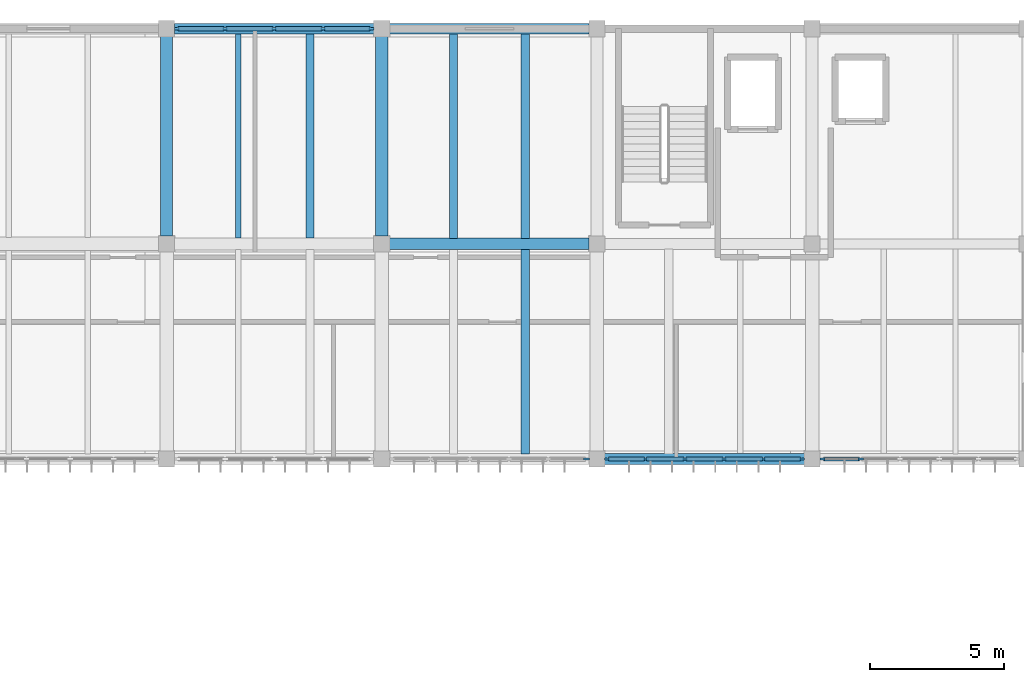
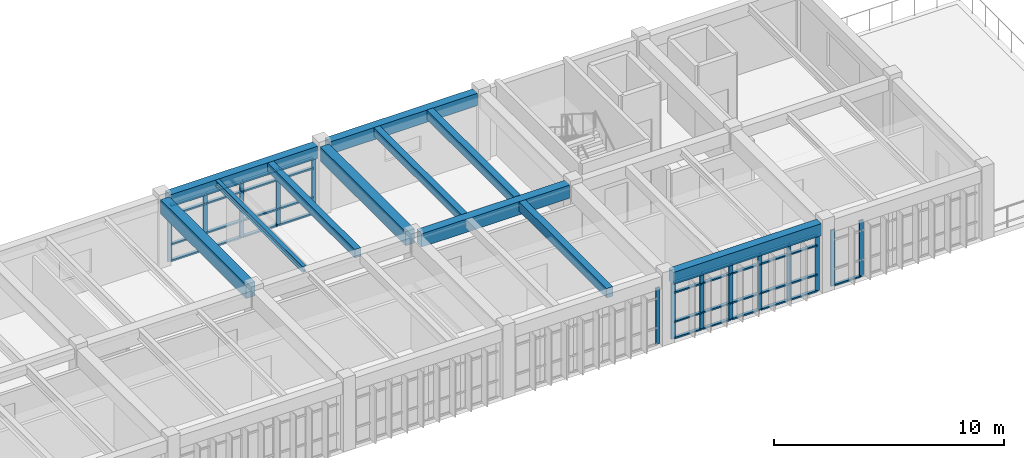
# One storey, part 9 of 22: 51 members, 11 beams, 4 elements without a shape of their own.
"""IFC4 building model written with IfcOpenShell, lengths in metres."""

from ifc_helpers import new_model, si_unit, direction, frame, origin, origin_2d, place, context, subcontext, project, spatial, rectangle, i_section, extrude, material, material_profile, profile_set, type_object, element, aggregate, save


model = new_model("IFC4")

# Units and contexts
model_context = context("Model", 3, precision=1e-05, world=origin(), true_north=direction((0.0, 1.0)))
body_context = subcontext(model_context, "Body", "Model", "MODEL_VIEW")
ifc_project = project(units=[si_unit("LENGTHUNIT", "METRE"), si_unit("AREAUNIT", "SQUARE_METRE"), si_unit("VOLUMEUNIT", "CUBIC_METRE"), si_unit("PLANEANGLEUNIT", "RADIAN"), si_unit("MASSUNIT", "GRAM", prefix="KILO")], contexts=[model_context])

# Site, building, storey
site_placement = place(None, origin())
site = spatial("IfcSite", under=ifc_project, at=site_placement, CompositionType="ELEMENT")
building_placement = place(site_placement, origin())
building = spatial("IfcBuilding", under=site, at=building_placement, Name="Tlaxcora Railside Police Headquarters", CompositionType="ELEMENT")
storey_placement = place(building_placement, frame((0.0, 0.0, 21.89990234375)))
storey = spatial("IfcBuildingStorey", under=building, at=storey_placement, Name="L05", CompositionType="ELEMENT", Elevation=21.89990234375)

# Curtain wall, member
ifc_material_1 = material(Name="Thermally broken low-E insulated glazing", Category="glass")
curtain_wall_type_1 = type_object("IfcCurtainWallType", Name="Unitised Curtain Wall Assembly CW-23", PredefinedType="NOTDEFINED", material=ifc_material_1)
curtain_wall_1_placement = place(storey_placement, origin())
curtain_wall_1 = element("IfcCurtainWall", 1, at=curtain_wall_1_placement, inside=storey, type_object=curtain_wall_type_1, Name="V5 L05 curtain wall 112", PredefinedType="NOTDEFINED")
ifc_material_2 = material(Name="Anodised aluminium framing", Category="aluminium")
ifc_material_profile_1 = material_profile(ifc_material_2, rectangle(XDim=0.080078125, YDim=0.219970703125, at=origin_2d()), Name="AL80X220")
ifc_profile_set_1 = profile_set([ifc_material_profile_1], Name="Anodised aluminium framing")
member_type_1 = type_object("IfcMemberType", Name="Curtain Wall Mullion CW-31", PredefinedType="MULLION", material=ifc_profile_set_1)
member_1_placement = place(storey_placement, frame((69.610107421875, 76.800048828125, 0.0), z_axis=(0.0, 0.0, 1.0), x_axis=(0.0, 1.0, 0.0)))
member_1 = element("IfcMember", 2, at=member_1_placement, type_object=member_type_1, Name="CW mullion 6", PredefinedType="MULLION", context=body_context, shape_type="SweptSolid", body=[
    extrude(rectangle(XDim=0.080078125, YDim=0.219970703125, at=origin_2d()), origin(), (0.0, 0.0, 1.0), 2.97998046875),
])
aggregate(curtain_wall_1, [member_1])

# Curtain wall, members
curtain_wall_type_2 = type_object("IfcCurtainWallType", Name="Unitised Curtain Wall Assembly CW-38", PredefinedType="NOTDEFINED", material=ifc_material_1)
curtain_wall_2_placement = place(storey_placement, origin())
curtain_wall_2 = element("IfcCurtainWall", 3, at=curtain_wall_2_placement, inside=storey, type_object=curtain_wall_type_2, Name="V5 L05 curtain wall 113", PredefinedType="NOTDEFINED")
ifc_material_profile_2 = material_profile(ifc_material_2, rectangle(XDim=0.074951171875, YDim=0.205078125, at=origin_2d()), Name="AL75X205")
ifc_profile_set_2 = profile_set([ifc_material_profile_2], Name="Anodised aluminium framing")
member_type_2 = type_object("IfcMemberType", Name="Curtain Wall Mullion CW-32", PredefinedType="MULLION", material=ifc_profile_set_2)
member_2_placement = place(storey_placement, frame((70.387451171875, 76.800048828125, 0.0), z_axis=(0.0, 0.0, 1.0), x_axis=(0.0, 1.0, 0.0)))
member_2 = element("IfcMember", 4, at=member_2_placement, type_object=member_type_2, Name="CW mullion 1", PredefinedType="MULLION", context=body_context, shape_type="SweptSolid", body=[
    extrude(rectangle(XDim=0.074951171875, YDim=0.205078125, at=origin_2d()), origin(), (0.0, 0.0, 1.0), 2.97998046875),
])
member_3_placement = place(storey_placement, frame((71.81005859375, 76.800048828125, 0.0), z_axis=(0.0, 0.0, 1.0), x_axis=(0.0, 1.0, 0.0)))
member_3 = element("IfcMember", 5, at=member_3_placement, type_object=member_type_2, Name="CW mullion 2", PredefinedType="MULLION", context=body_context, shape_type="SweptSolid", body=[
    extrude(rectangle(XDim=0.074951171875, YDim=0.205078125, at=origin_2d()), origin(), (0.0, 0.0, 1.0), 2.97998046875),
])
member_4_placement = place(storey_placement, frame((73.27001953125, 76.800048828125, 0.0), z_axis=(0.0, 0.0, 1.0), x_axis=(0.0, 1.0, 0.0)))
member_4 = element("IfcMember", 6, at=member_4_placement, type_object=member_type_2, Name="CW mullion 3", PredefinedType="MULLION", context=body_context, shape_type="SweptSolid", body=[
    extrude(rectangle(XDim=0.074951171875, YDim=0.205078125, at=origin_2d()), origin(), (0.0, 0.0, 1.0), 2.97998046875),
])
member_5_placement = place(storey_placement, frame((74.72998046875, 76.800048828125, 0.0), z_axis=(0.0, 0.0, 1.0), x_axis=(0.0, 1.0, 0.0)))
member_5 = element("IfcMember", 7, at=member_5_placement, type_object=member_type_2, Name="CW mullion 4", PredefinedType="MULLION", context=body_context, shape_type="SweptSolid", body=[
    extrude(rectangle(XDim=0.074951171875, YDim=0.205078125, at=origin_2d()), origin(), (0.0, 0.0, 1.0), 2.97998046875),
])
member_6_placement = place(storey_placement, frame((76.18994140625, 76.800048828125, 0.0), z_axis=(0.0, 0.0, 1.0), x_axis=(0.0, 1.0, 0.0)))
member_6 = element("IfcMember", 8, at=member_6_placement, type_object=member_type_2, Name="CW mullion 5", PredefinedType="MULLION", context=body_context, shape_type="SweptSolid", body=[
    extrude(rectangle(XDim=0.074951171875, YDim=0.205078125, at=origin_2d()), origin(), (0.0, 0.0, 1.0), 2.97998046875),
])
member_7_placement = place(storey_placement, frame((77.612548828125, 76.800048828125, 0.0), z_axis=(0.0, 0.0, 1.0), x_axis=(0.0, 1.0, 0.0)))
member_7 = element("IfcMember", 9, at=member_7_placement, type_object=member_type_2, Name="CW mullion 6", PredefinedType="MULLION", context=body_context, shape_type="SweptSolid", body=[
    extrude(rectangle(XDim=0.074951171875, YDim=0.205078125, at=origin_2d()), origin(), (0.0, 0.0, 1.0), 2.97998046875),
])

curtain_wall_type_3 = type_object("IfcCurtainWallType", Name="Unitised Curtain Wall Assembly CW-15", PredefinedType="NOTDEFINED", material=ifc_material_1)
curtain_wall_3_placement = place(storey_placement, origin())
curtain_wall_3 = element("IfcCurtainWall", 10, at=curtain_wall_3_placement, inside=storey, type_object=curtain_wall_type_3, Name="V5 L05 curtain wall 114", PredefinedType="NOTDEFINED")
ifc_material_profile_3 = material_profile(ifc_material_2, rectangle(XDim=0.074951171875, YDim=0.199951171875, at=origin_2d()), Name="AL75X200")
ifc_profile_set_3 = profile_set([ifc_material_profile_3], Name="Anodised aluminium framing")
member_type_3 = type_object("IfcMemberType", Name="Curtain Wall Mullion CW-58", PredefinedType="MULLION", material=ifc_profile_set_3)
member_8_placement = place(storey_placement, frame((78.387451171875, 76.800048828125, 0.0), z_axis=(0.0, 0.0, 1.0), x_axis=(0.0, 1.0, 0.0)))
member_8 = element("IfcMember", 11, at=member_8_placement, type_object=member_type_3, Name="CW mullion 1", PredefinedType="MULLION", context=body_context, shape_type="SweptSolid", body=[
    extrude(rectangle(XDim=0.074951171875, YDim=0.199951171875, at=origin_2d()), origin(), (0.0, 0.0, 1.0), 2.97998046875),
])
member_9_placement = place(storey_placement, frame((79.81005859375, 76.800048828125, 0.0), z_axis=(0.0, 0.0, 1.0), x_axis=(0.0, 1.0, 0.0)))
member_9 = element("IfcMember", 12, at=member_9_placement, type_object=member_type_3, Name="CW mullion 2", PredefinedType="MULLION", context=body_context, shape_type="SweptSolid", body=[
    extrude(rectangle(XDim=0.074951171875, YDim=0.199951171875, at=origin_2d()), origin(), (0.0, 0.0, 1.0), 2.97998046875),
])

curtain_wall_type_4 = type_object("IfcCurtainWallType", Name="Unitised Curtain Wall Assembly CW-83", PredefinedType="NOTDEFINED", material=ifc_material_1)
curtain_wall_4_placement = place(storey_placement, origin())
curtain_wall_4 = element("IfcCurtainWall", 13, at=curtain_wall_4_placement, inside=storey, type_object=curtain_wall_type_4, Name="V5 L05 curtain wall 115", PredefinedType="NOTDEFINED")
ifc_material_profile_4 = material_profile(ifc_material_2, rectangle(XDim=0.080078125, YDim=0.2099609375, at=origin_2d()), Name="AL80X210")
ifc_profile_set_4 = profile_set([ifc_material_profile_4], Name="Anodised aluminium framing")
member_type_4 = type_object("IfcMemberType", Name="Curtain Wall Mullion CW-76", PredefinedType="MULLION", material=ifc_profile_set_4)
member_10_placement = place(storey_placement, frame((61.610107421875, 92.800048828125, 0.0), z_axis=(0.0, 0.0, 1.0), x_axis=(0.0, -1.0, 0.0)))
member_10 = element("IfcMember", 14, at=member_10_placement, type_object=member_type_4, Name="CW mullion 1", PredefinedType="MULLION", context=body_context, shape_type="SweptSolid", body=[
    extrude(rectangle(XDim=0.080078125, YDim=0.2099609375, at=origin_2d()), origin(), (0.0, 0.0, 1.0), 2.97998046875),
])
member_11_placement = place(storey_placement, frame((59.824951171875, 92.800048828125, 0.0), z_axis=(0.0, 0.0, 1.0), x_axis=(0.0, -1.0, 0.0)))
member_11 = element("IfcMember", 15, at=member_11_placement, type_object=member_type_4, Name="CW mullion 2", PredefinedType="MULLION", context=body_context, shape_type="SweptSolid", body=[
    extrude(rectangle(XDim=0.080078125, YDim=0.2099609375, at=origin_2d()), origin(), (0.0, 0.0, 1.0), 2.97998046875),
])
member_12_placement = place(storey_placement, frame((58.0, 92.800048828125, 0.0), z_axis=(0.0, 0.0, 1.0), x_axis=(0.0, -1.0, 0.0)))
member_12 = element("IfcMember", 16, at=member_12_placement, type_object=member_type_4, Name="CW mullion 3", PredefinedType="MULLION", context=body_context, shape_type="SweptSolid", body=[
    extrude(rectangle(XDim=0.080078125, YDim=0.2099609375, at=origin_2d()), origin(), (0.0, 0.0, 1.0), 2.97998046875),
])
member_13_placement = place(storey_placement, frame((56.175048828125, 92.800048828125, 0.0), z_axis=(0.0, 0.0, 1.0), x_axis=(0.0, -1.0, 0.0)))
member_13 = element("IfcMember", 17, at=member_13_placement, type_object=member_type_4, Name="CW mullion 4", PredefinedType="MULLION", context=body_context, shape_type="SweptSolid", body=[
    extrude(rectangle(XDim=0.080078125, YDim=0.2099609375, at=origin_2d()), origin(), (0.0, 0.0, 1.0), 2.97998046875),
])
member_14_placement = place(storey_placement, frame((54.389892578125, 92.800048828125, 0.0), z_axis=(0.0, 0.0, 1.0), x_axis=(0.0, -1.0, 0.0)))
member_14 = element("IfcMember", 18, at=member_14_placement, type_object=member_type_4, Name="CW mullion 5", PredefinedType="MULLION", context=body_context, shape_type="SweptSolid", body=[
    extrude(rectangle(XDim=0.080078125, YDim=0.2099609375, at=origin_2d()), origin(), (0.0, 0.0, 1.0), 2.97998046875),
])

# Member
ifc_material_profile_5 = material_profile(ifc_material_2, rectangle(XDim=0.14990234375, YDim=0.074951171875, at=origin_2d()), Name="AL75X150")
ifc_profile_set_5 = profile_set([ifc_material_profile_5], Name="Anodised aluminium framing")
member_type_5 = type_object("IfcMemberType", Name="Curtain Wall Transom CW-28", PredefinedType="USERDEFINED", material=ifc_profile_set_5)
member_15_placement = place(storey_placement, frame((78.425048828125, 76.800048828125, 0.03759765625), z_axis=(1.0, 0.0, 0.0), x_axis=(0.0, 1.0, 0.0)))
member_15 = element("IfcMember", 19, at=member_15_placement, type_object=member_type_5, Name="CW transom 1.1", ObjectType="TRANSOM", PredefinedType="USERDEFINED", context=body_context, shape_type="SweptSolid", body=[
    extrude(rectangle(XDim=0.14990234375, YDim=0.074951171875, at=origin_2d()), origin(), (0.0, 0.0, 1.0), 1.347412109375),
])

aggregate(curtain_wall_3, [member_8, member_9, member_15])

ifc_material_profile_6 = material_profile(ifc_material_2, rectangle(XDim=0.155029296875, YDim=0.074951171875, at=origin_2d()), Name="AL75X155")
ifc_profile_set_6 = profile_set([ifc_material_profile_6], Name="Anodised aluminium framing")
member_type_6 = type_object("IfcMemberType", Name="Curtain Wall Transom CW-30", PredefinedType="USERDEFINED", material=ifc_profile_set_6)
member_16_placement = place(storey_placement, frame((70.425048828125, 76.800048828125, 0.03759765625), z_axis=(1.0, 0.0, 0.0), x_axis=(0.0, 1.0, 0.0)))
member_16 = element("IfcMember", 20, at=member_16_placement, type_object=member_type_6, Name="CW transom 1.1", ObjectType="TRANSOM", PredefinedType="USERDEFINED", context=body_context, shape_type="SweptSolid", body=[
    extrude(rectangle(XDim=0.155029296875, YDim=0.074951171875, at=origin_2d()), origin(), (0.0, 0.0, 1.0), 1.347412109375),
])

member_17_placement = place(storey_placement, frame((70.425048828125, 76.800048828125, 0.900146484375), z_axis=(1.0, 0.0, 0.0), x_axis=(0.0, 1.0, 0.0)))
member_17 = element("IfcMember", 21, at=member_17_placement, type_object=member_type_6, Name="CW transom 1.2", ObjectType="TRANSOM", PredefinedType="USERDEFINED", context=body_context, shape_type="SweptSolid", body=[
    extrude(rectangle(XDim=0.155029296875, YDim=0.074951171875, at=origin_2d()), origin(), (0.0, 0.0, 1.0), 1.347412109375),
])

member_18_placement = place(storey_placement, frame((70.425048828125, 76.800048828125, 2.4501953125), z_axis=(1.0, 0.0, 0.0), x_axis=(0.0, 1.0, 0.0)))
member_18 = element("IfcMember", 22, at=member_18_placement, type_object=member_type_6, Name="CW transom 1.3", ObjectType="TRANSOM", PredefinedType="USERDEFINED", context=body_context, shape_type="SweptSolid", body=[
    extrude(rectangle(XDim=0.155029296875, YDim=0.074951171875, at=origin_2d()), origin(), (0.0, 0.0, 1.0), 1.347412109375),
])

member_19_placement = place(storey_placement, frame((70.425048828125, 76.800048828125, 2.942626953125), z_axis=(1.0, 0.0, 0.0), x_axis=(0.0, 1.0, 0.0)))
member_19 = element("IfcMember", 23, at=member_19_placement, type_object=member_type_6, Name="CW transom 1.4", ObjectType="TRANSOM", PredefinedType="USERDEFINED", context=body_context, shape_type="SweptSolid", body=[
    extrude(rectangle(XDim=0.155029296875, YDim=0.074951171875, at=origin_2d()), origin(), (0.0, 0.0, 1.0), 1.347412109375),
])

member_20_placement = place(storey_placement, frame((71.847412109375, 76.800048828125, 0.03759765625), z_axis=(1.0, 0.0, 0.0), x_axis=(0.0, 1.0, 0.0)))
member_20 = element("IfcMember", 24, at=member_20_placement, type_object=member_type_6, Name="CW transom 2.1", ObjectType="TRANSOM", PredefinedType="USERDEFINED", context=body_context, shape_type="SweptSolid", body=[
    extrude(rectangle(XDim=0.155029296875, YDim=0.074951171875, at=origin_2d()), origin(), (0.0, 0.0, 1.0), 1.385009765625),
])

member_21_placement = place(storey_placement, frame((71.847412109375, 76.800048828125, 0.900146484375), z_axis=(1.0, 0.0, 0.0), x_axis=(0.0, 1.0, 0.0)))
member_21 = element("IfcMember", 25, at=member_21_placement, type_object=member_type_6, Name="CW transom 2.2", ObjectType="TRANSOM", PredefinedType="USERDEFINED", context=body_context, shape_type="SweptSolid", body=[
    extrude(rectangle(XDim=0.155029296875, YDim=0.074951171875, at=origin_2d()), origin(), (0.0, 0.0, 1.0), 1.385009765625),
])

member_22_placement = place(storey_placement, frame((71.847412109375, 76.800048828125, 2.4501953125), z_axis=(1.0, 0.0, 0.0), x_axis=(0.0, 1.0, 0.0)))
member_22 = element("IfcMember", 26, at=member_22_placement, type_object=member_type_6, Name="CW transom 2.3", ObjectType="TRANSOM", PredefinedType="USERDEFINED", context=body_context, shape_type="SweptSolid", body=[
    extrude(rectangle(XDim=0.155029296875, YDim=0.074951171875, at=origin_2d()), origin(), (0.0, 0.0, 1.0), 1.385009765625),
])

member_23_placement = place(storey_placement, frame((71.847412109375, 76.800048828125, 2.942626953125), z_axis=(1.0, 0.0, 0.0), x_axis=(0.0, 1.0, 0.0)))
member_23 = element("IfcMember", 27, at=member_23_placement, type_object=member_type_6, Name="CW transom 2.4", ObjectType="TRANSOM", PredefinedType="USERDEFINED", context=body_context, shape_type="SweptSolid", body=[
    extrude(rectangle(XDim=0.155029296875, YDim=0.074951171875, at=origin_2d()), origin(), (0.0, 0.0, 1.0), 1.385009765625),
])

member_24_placement = place(storey_placement, frame((73.3076171875, 76.800048828125, 0.03759765625), z_axis=(1.0, 0.0, 0.0), x_axis=(0.0, 1.0, 0.0)))
member_24 = element("IfcMember", 28, at=member_24_placement, type_object=member_type_6, Name="CW transom 3.1", ObjectType="TRANSOM", PredefinedType="USERDEFINED", context=body_context, shape_type="SweptSolid", body=[
    extrude(rectangle(XDim=0.155029296875, YDim=0.074951171875, at=origin_2d()), origin(), (0.0, 0.0, 1.0), 1.384765625),
])

member_25_placement = place(storey_placement, frame((73.3076171875, 76.800048828125, 0.900146484375), z_axis=(1.0, 0.0, 0.0), x_axis=(0.0, 1.0, 0.0)))
member_25 = element("IfcMember", 29, at=member_25_placement, type_object=member_type_6, Name="CW transom 3.2", ObjectType="TRANSOM", PredefinedType="USERDEFINED", context=body_context, shape_type="SweptSolid", body=[
    extrude(rectangle(XDim=0.155029296875, YDim=0.074951171875, at=origin_2d()), origin(), (0.0, 0.0, 1.0), 1.384765625),
])

member_26_placement = place(storey_placement, frame((73.3076171875, 76.800048828125, 2.4501953125), z_axis=(1.0, 0.0, 0.0), x_axis=(0.0, 1.0, 0.0)))
member_26 = element("IfcMember", 30, at=member_26_placement, type_object=member_type_6, Name="CW transom 3.3", ObjectType="TRANSOM", PredefinedType="USERDEFINED", context=body_context, shape_type="SweptSolid", body=[
    extrude(rectangle(XDim=0.155029296875, YDim=0.074951171875, at=origin_2d()), origin(), (0.0, 0.0, 1.0), 1.384765625),
])

member_27_placement = place(storey_placement, frame((73.3076171875, 76.800048828125, 2.942626953125), z_axis=(1.0, 0.0, 0.0), x_axis=(0.0, 1.0, 0.0)))
member_27 = element("IfcMember", 31, at=member_27_placement, type_object=member_type_6, Name="CW transom 3.4", ObjectType="TRANSOM", PredefinedType="USERDEFINED", context=body_context, shape_type="SweptSolid", body=[
    extrude(rectangle(XDim=0.155029296875, YDim=0.074951171875, at=origin_2d()), origin(), (0.0, 0.0, 1.0), 1.384765625),
])

member_28_placement = place(storey_placement, frame((74.767578125, 76.800048828125, 0.03759765625), z_axis=(1.0, 0.0, 0.0), x_axis=(0.0, 1.0, 0.0)))
member_28 = element("IfcMember", 32, at=member_28_placement, type_object=member_type_6, Name="CW transom 4.1", ObjectType="TRANSOM", PredefinedType="USERDEFINED", context=body_context, shape_type="SweptSolid", body=[
    extrude(rectangle(XDim=0.155029296875, YDim=0.074951171875, at=origin_2d()), origin(), (0.0, 0.0, 1.0), 1.385009765625),
])

member_29_placement = place(storey_placement, frame((74.767578125, 76.800048828125, 0.900146484375), z_axis=(1.0, 0.0, 0.0), x_axis=(0.0, 1.0, 0.0)))
member_29 = element("IfcMember", 33, at=member_29_placement, type_object=member_type_6, Name="CW transom 4.2", ObjectType="TRANSOM", PredefinedType="USERDEFINED", context=body_context, shape_type="SweptSolid", body=[
    extrude(rectangle(XDim=0.155029296875, YDim=0.074951171875, at=origin_2d()), origin(), (0.0, 0.0, 1.0), 1.385009765625),
])

member_30_placement = place(storey_placement, frame((74.767578125, 76.800048828125, 2.4501953125), z_axis=(1.0, 0.0, 0.0), x_axis=(0.0, 1.0, 0.0)))
member_30 = element("IfcMember", 34, at=member_30_placement, type_object=member_type_6, Name="CW transom 4.3", ObjectType="TRANSOM", PredefinedType="USERDEFINED", context=body_context, shape_type="SweptSolid", body=[
    extrude(rectangle(XDim=0.155029296875, YDim=0.074951171875, at=origin_2d()), origin(), (0.0, 0.0, 1.0), 1.385009765625),
])

member_31_placement = place(storey_placement, frame((74.767578125, 76.800048828125, 2.942626953125), z_axis=(1.0, 0.0, 0.0), x_axis=(0.0, 1.0, 0.0)))
member_31 = element("IfcMember", 35, at=member_31_placement, type_object=member_type_6, Name="CW transom 4.4", ObjectType="TRANSOM", PredefinedType="USERDEFINED", context=body_context, shape_type="SweptSolid", body=[
    extrude(rectangle(XDim=0.155029296875, YDim=0.074951171875, at=origin_2d()), origin(), (0.0, 0.0, 1.0), 1.385009765625),
])

member_32_placement = place(storey_placement, frame((76.2275390625, 76.800048828125, 0.03759765625), z_axis=(1.0, 0.0, 0.0), x_axis=(0.0, 1.0, 0.0)))
member_32 = element("IfcMember", 36, at=member_32_placement, type_object=member_type_6, Name="CW transom 5.1", ObjectType="TRANSOM", PredefinedType="USERDEFINED", context=body_context, shape_type="SweptSolid", body=[
    extrude(rectangle(XDim=0.155029296875, YDim=0.074951171875, at=origin_2d()), origin(), (0.0, 0.0, 1.0), 1.347412109375),
])

member_33_placement = place(storey_placement, frame((76.2275390625, 76.800048828125, 0.900146484375), z_axis=(1.0, 0.0, 0.0), x_axis=(0.0, 1.0, 0.0)))
member_33 = element("IfcMember", 37, at=member_33_placement, type_object=member_type_6, Name="CW transom 5.2", ObjectType="TRANSOM", PredefinedType="USERDEFINED", context=body_context, shape_type="SweptSolid", body=[
    extrude(rectangle(XDim=0.155029296875, YDim=0.074951171875, at=origin_2d()), origin(), (0.0, 0.0, 1.0), 1.347412109375),
])

member_34_placement = place(storey_placement, frame((76.2275390625, 76.800048828125, 2.4501953125), z_axis=(1.0, 0.0, 0.0), x_axis=(0.0, 1.0, 0.0)))
member_34 = element("IfcMember", 38, at=member_34_placement, type_object=member_type_6, Name="CW transom 5.3", ObjectType="TRANSOM", PredefinedType="USERDEFINED", context=body_context, shape_type="SweptSolid", body=[
    extrude(rectangle(XDim=0.155029296875, YDim=0.074951171875, at=origin_2d()), origin(), (0.0, 0.0, 1.0), 1.347412109375),
])

member_35_placement = place(storey_placement, frame((76.2275390625, 76.800048828125, 2.942626953125), z_axis=(1.0, 0.0, 0.0), x_axis=(0.0, 1.0, 0.0)))
member_35 = element("IfcMember", 39, at=member_35_placement, type_object=member_type_6, Name="CW transom 5.4", ObjectType="TRANSOM", PredefinedType="USERDEFINED", context=body_context, shape_type="SweptSolid", body=[
    extrude(rectangle(XDim=0.155029296875, YDim=0.074951171875, at=origin_2d()), origin(), (0.0, 0.0, 1.0), 1.347412109375),
])

aggregate(curtain_wall_2, [member_2, member_3, member_4, member_5, member_6, member_7, member_16, member_17, member_18, member_19, member_20, member_21, member_22, member_23, member_24, member_25, member_26, member_27, member_28, member_29, member_30, member_31, member_32, member_33, member_34, member_35])

ifc_material_profile_7 = material_profile(ifc_material_2, rectangle(XDim=0.159912109375, YDim=0.080078125, at=origin_2d()), Name="AL80X160")
ifc_profile_set_7 = profile_set([ifc_material_profile_7], Name="Anodised aluminium framing")
member_type_7 = type_object("IfcMemberType", Name="Curtain Wall Transom CW-82", PredefinedType="USERDEFINED", material=ifc_profile_set_7)
member_36_placement = place(storey_placement, frame((61.570068359375, 92.800048828125, 0.0400390625), z_axis=(-1.0, 0.0, 0.0), x_axis=(0.0, -1.0, 0.0)))
member_36 = element("IfcMember", 40, at=member_36_placement, type_object=member_type_7, Name="CW transom 1.1", ObjectType="TRANSOM", PredefinedType="USERDEFINED", context=body_context, shape_type="SweptSolid", body=[
    extrude(rectangle(XDim=0.159912109375, YDim=0.080078125, at=origin_2d()), origin(), (0.0, 0.0, 1.0), 1.705078125),
])

member_37_placement = place(storey_placement, frame((61.570068359375, 92.800048828125, 0.900146484375), z_axis=(-1.0, 0.0, 0.0), x_axis=(0.0, -1.0, 0.0)))
member_37 = element("IfcMember", 41, at=member_37_placement, type_object=member_type_7, Name="CW transom 1.2", ObjectType="TRANSOM", PredefinedType="USERDEFINED", context=body_context, shape_type="SweptSolid", body=[
    extrude(rectangle(XDim=0.159912109375, YDim=0.080078125, at=origin_2d()), origin(), (0.0, 0.0, 1.0), 1.705078125),
])

member_38_placement = place(storey_placement, frame((61.570068359375, 92.800048828125, 2.4501953125), z_axis=(-1.0, 0.0, 0.0), x_axis=(0.0, -1.0, 0.0)))
member_38 = element("IfcMember", 42, at=member_38_placement, type_object=member_type_7, Name="CW transom 1.3", ObjectType="TRANSOM", PredefinedType="USERDEFINED", context=body_context, shape_type="SweptSolid", body=[
    extrude(rectangle(XDim=0.159912109375, YDim=0.080078125, at=origin_2d()), origin(), (0.0, 0.0, 1.0), 1.705078125),
])

member_39_placement = place(storey_placement, frame((61.570068359375, 92.800048828125, 2.940185546875), z_axis=(-1.0, 0.0, 0.0), x_axis=(0.0, -1.0, 0.0)))
member_39 = element("IfcMember", 43, at=member_39_placement, type_object=member_type_7, Name="CW transom 1.4", ObjectType="TRANSOM", PredefinedType="USERDEFINED", context=body_context, shape_type="SweptSolid", body=[
    extrude(rectangle(XDim=0.159912109375, YDim=0.080078125, at=origin_2d()), origin(), (0.0, 0.0, 1.0), 1.705078125),
])

member_40_placement = place(storey_placement, frame((59.784912109375, 92.800048828125, 0.0400390625), z_axis=(-1.0, 0.0, 0.0), x_axis=(0.0, -1.0, 0.0)))
member_40 = element("IfcMember", 44, at=member_40_placement, type_object=member_type_7, Name="CW transom 2.1", ObjectType="TRANSOM", PredefinedType="USERDEFINED", context=body_context, shape_type="SweptSolid", body=[
    extrude(rectangle(XDim=0.159912109375, YDim=0.080078125, at=origin_2d()), origin(), (0.0, 0.0, 1.0), 1.744873046875),
])

member_41_placement = place(storey_placement, frame((59.784912109375, 92.800048828125, 0.900146484375), z_axis=(-1.0, 0.0, 0.0), x_axis=(0.0, -1.0, 0.0)))
member_41 = element("IfcMember", 45, at=member_41_placement, type_object=member_type_7, Name="CW transom 2.2", ObjectType="TRANSOM", PredefinedType="USERDEFINED", context=body_context, shape_type="SweptSolid", body=[
    extrude(rectangle(XDim=0.159912109375, YDim=0.080078125, at=origin_2d()), origin(), (0.0, 0.0, 1.0), 1.744873046875),
])

member_42_placement = place(storey_placement, frame((59.784912109375, 92.800048828125, 2.4501953125), z_axis=(-1.0, 0.0, 0.0), x_axis=(0.0, -1.0, 0.0)))
member_42 = element("IfcMember", 46, at=member_42_placement, type_object=member_type_7, Name="CW transom 2.3", ObjectType="TRANSOM", PredefinedType="USERDEFINED", context=body_context, shape_type="SweptSolid", body=[
    extrude(rectangle(XDim=0.159912109375, YDim=0.080078125, at=origin_2d()), origin(), (0.0, 0.0, 1.0), 1.744873046875),
])

member_43_placement = place(storey_placement, frame((59.784912109375, 92.800048828125, 2.940185546875), z_axis=(-1.0, 0.0, 0.0), x_axis=(0.0, -1.0, 0.0)))
member_43 = element("IfcMember", 47, at=member_43_placement, type_object=member_type_7, Name="CW transom 2.4", ObjectType="TRANSOM", PredefinedType="USERDEFINED", context=body_context, shape_type="SweptSolid", body=[
    extrude(rectangle(XDim=0.159912109375, YDim=0.080078125, at=origin_2d()), origin(), (0.0, 0.0, 1.0), 1.744873046875),
])

member_44_placement = place(storey_placement, frame((57.9599609375, 92.800048828125, 0.0400390625), z_axis=(-1.0, 0.0, 0.0), x_axis=(0.0, -1.0, 0.0)))
member_44 = element("IfcMember", 48, at=member_44_placement, type_object=member_type_7, Name="CW transom 3.1", ObjectType="TRANSOM", PredefinedType="USERDEFINED", context=body_context, shape_type="SweptSolid", body=[
    extrude(rectangle(XDim=0.159912109375, YDim=0.080078125, at=origin_2d()), origin(), (0.0, 0.0, 1.0), 1.744873046875),
])

member_45_placement = place(storey_placement, frame((57.9599609375, 92.800048828125, 0.900146484375), z_axis=(-1.0, 0.0, 0.0), x_axis=(0.0, -1.0, 0.0)))
member_45 = element("IfcMember", 49, at=member_45_placement, type_object=member_type_7, Name="CW transom 3.2", ObjectType="TRANSOM", PredefinedType="USERDEFINED", context=body_context, shape_type="SweptSolid", body=[
    extrude(rectangle(XDim=0.159912109375, YDim=0.080078125, at=origin_2d()), origin(), (0.0, 0.0, 1.0), 1.744873046875),
])

member_46_placement = place(storey_placement, frame((57.9599609375, 92.800048828125, 2.4501953125), z_axis=(-1.0, 0.0, 0.0), x_axis=(0.0, -1.0, 0.0)))
member_46 = element("IfcMember", 50, at=member_46_placement, type_object=member_type_7, Name="CW transom 3.3", ObjectType="TRANSOM", PredefinedType="USERDEFINED", context=body_context, shape_type="SweptSolid", body=[
    extrude(rectangle(XDim=0.159912109375, YDim=0.080078125, at=origin_2d()), origin(), (0.0, 0.0, 1.0), 1.744873046875),
])

member_47_placement = place(storey_placement, frame((57.9599609375, 92.800048828125, 2.940185546875), z_axis=(-1.0, 0.0, 0.0), x_axis=(0.0, -1.0, 0.0)))
member_47 = element("IfcMember", 51, at=member_47_placement, type_object=member_type_7, Name="CW transom 3.4", ObjectType="TRANSOM", PredefinedType="USERDEFINED", context=body_context, shape_type="SweptSolid", body=[
    extrude(rectangle(XDim=0.159912109375, YDim=0.080078125, at=origin_2d()), origin(), (0.0, 0.0, 1.0), 1.744873046875),
])

member_48_placement = place(storey_placement, frame((56.135009765625, 92.800048828125, 0.0400390625), z_axis=(-1.0, 0.0, 0.0), x_axis=(0.0, -1.0, 0.0)))
member_48 = element("IfcMember", 52, at=member_48_placement, type_object=member_type_7, Name="CW transom 4.1", ObjectType="TRANSOM", PredefinedType="USERDEFINED", context=body_context, shape_type="SweptSolid", body=[
    extrude(rectangle(XDim=0.159912109375, YDim=0.080078125, at=origin_2d()), origin(), (0.0, 0.0, 1.0), 1.705078125),
])

member_49_placement = place(storey_placement, frame((56.135009765625, 92.800048828125, 0.900146484375), z_axis=(-1.0, 0.0, 0.0), x_axis=(0.0, -1.0, 0.0)))
member_49 = element("IfcMember", 53, at=member_49_placement, type_object=member_type_7, Name="CW transom 4.2", ObjectType="TRANSOM", PredefinedType="USERDEFINED", context=body_context, shape_type="SweptSolid", body=[
    extrude(rectangle(XDim=0.159912109375, YDim=0.080078125, at=origin_2d()), origin(), (0.0, 0.0, 1.0), 1.705078125),
])

member_50_placement = place(storey_placement, frame((56.135009765625, 92.800048828125, 2.4501953125), z_axis=(-1.0, 0.0, 0.0), x_axis=(0.0, -1.0, 0.0)))
member_50 = element("IfcMember", 54, at=member_50_placement, type_object=member_type_7, Name="CW transom 4.3", ObjectType="TRANSOM", PredefinedType="USERDEFINED", context=body_context, shape_type="SweptSolid", body=[
    extrude(rectangle(XDim=0.159912109375, YDim=0.080078125, at=origin_2d()), origin(), (0.0, 0.0, 1.0), 1.705078125),
])

member_51_placement = place(storey_placement, frame((56.135009765625, 92.800048828125, 2.940185546875), z_axis=(-1.0, 0.0, 0.0), x_axis=(0.0, -1.0, 0.0)))
member_51 = element("IfcMember", 55, at=member_51_placement, type_object=member_type_7, Name="CW transom 4.4", ObjectType="TRANSOM", PredefinedType="USERDEFINED", context=body_context, shape_type="SweptSolid", body=[
    extrude(rectangle(XDim=0.159912109375, YDim=0.080078125, at=origin_2d()), origin(), (0.0, 0.0, 1.0), 1.705078125),
])

aggregate(curtain_wall_4, [member_10, member_11, member_12, member_13, member_14, member_36, member_37, member_38, member_39, member_40, member_41, member_42, member_43, member_44, member_45, member_46, member_47, member_48, member_49, member_50, member_51])

# Beams
ifc_material_3 = material(Name="Concrete C40/50", Category="concrete")
ifc_material_profile_8 = material_profile(ifc_material_3, rectangle(XDim=0.39990234375, YDim=0.64990234375, at=origin_2d()), Name="RC400X650")
ifc_profile_set_8 = profile_set([ifc_material_profile_8], Name="Concrete C40/50")
beam_type_1 = type_object("IfcBeamType", Name="Perimeter Spandrel Beam BM-46", PredefinedType="SPANDREL", material=ifc_profile_set_8)
for number, where, z_axis, x_axis, name in (
    (56, (70.2900390625, 76.800048828125, 3.3251953125), (1.0, 0.0, 0.0), (0.0, 1.0, 0.0), "V5 L05 X-girder Y=76.8"),
    (57, (54.2900390625, 92.800048828125, 3.3251953125), (1.0, 0.0, 0.0), (0.0, 1.0, 0.0), "V5 L05 X-girder Y=92.8"),
    (58, (62.2900390625, 92.800048828125, 3.3251953125), (1.0, 0.0, 0.0), (0.0, 1.0, 0.0), "V5 L05 X-girder Y=92.8"),
):
    element("IfcBeam", number, at=place(storey_placement, frame(where, z_axis=z_axis, x_axis=x_axis)), inside=storey, type_object=beam_type_1, Name=name, PredefinedType="SPANDREL", context=body_context, shape_type="SweptSolid", body=[
        extrude(rectangle(XDim=0.39990234375, YDim=0.64990234375, at=origin_2d()), origin(), (0.0, 0.0, 1.0), 7.419921875),
    ])
ifc_material_profile_9 = material_profile(ifc_material_3, rectangle(XDim=0.419921875, YDim=0.699951171875, at=origin_2d()), Name="RC420X700")
ifc_profile_set_9 = profile_set([ifc_material_profile_9], Name="Concrete C40/50")
beam_type_2 = type_object("IfcBeamType", Name="Primary Frame Girder BM-35", PredefinedType="BEAM", material=ifc_profile_set_9)
beam_1_placement = place(storey_placement, frame((62.2900390625, 84.800048828125, 3.300048828125), z_axis=(1.0, 0.0, 0.0), x_axis=(0.0, 1.0, 0.0)))
element("IfcBeam", 59, at=beam_1_placement, inside=storey, type_object=beam_type_2, Name="V5 L05 X-girder Y=84.8", PredefinedType="BEAM", context=body_context, shape_type="SweptSolid", body=[
    extrude(rectangle(XDim=0.419921875, YDim=0.699951171875, at=origin_2d()), origin(), (0.0, 0.0, 1.0), 7.419921875),
])
ifc_material_profile_10 = material_profile(ifc_material_3, rectangle(XDim=0.449951171875, YDim=0.75, at=origin_2d()), Name="RC450X750")
ifc_profile_set_10 = profile_set([ifc_material_profile_10], Name="Concrete C40/50")
beam_type_3 = type_object("IfcBeamType", Name="Primary Frame Girder BM-73", PredefinedType="BEAM", material=ifc_profile_set_10)
for number, where, z_axis, x_axis, name in (
    (60, (54.0, 85.090087890625, 3.275146484375), (0.0, 1.0, 0.0), (-1.0, 0.0, 0.0), "V5 L05 Y-girder X=54.0"),
    (61, (62.0, 85.090087890625, 3.275146484375), (0.0, 1.0, 0.0), (-1.0, 0.0, 0.0), "V5 L05 Y-girder X=62.0"),
):
    element("IfcBeam", number, at=place(storey_placement, frame(where, z_axis=z_axis, x_axis=x_axis)), inside=storey, type_object=beam_type_3, Name=name, PredefinedType="BEAM", context=body_context, shape_type="SweptSolid", body=[
        extrude(rectangle(XDim=0.449951171875, YDim=0.75, at=origin_2d()), origin(), (0.0, 0.0, 1.0), 7.419921875),
    ])
ifc_material_4 = material(Name="Concrete C35/45", Category="concrete")
ifc_material_profile_11 = material_profile(ifc_material_4, rectangle(XDim=0.300048828125, YDim=0.449951171875, at=origin_2d()), Name="RC300X450")
ifc_profile_set_11 = profile_set([ifc_material_profile_11], Name="Concrete C35/45")
beam_type_4 = type_object("IfcBeamType", Name="Secondary Floor Joist BM-27", PredefinedType="JOIST", material=ifc_profile_set_11)
beam_2_placement = place(storey_placement, frame((59.333251953125, 85.01708984375, 3.425048828125), z_axis=(0.0, 1.0, 0.0), x_axis=(-1.0, 0.0, 0.0)))
element("IfcBeam", 62, at=beam_2_placement, inside=storey, type_object=beam_type_4, Name="V5 L05 floor joist X=59.33", PredefinedType="JOIST", context=body_context, shape_type="SweptSolid", body=[
    extrude(rectangle(XDim=0.300048828125, YDim=0.449951171875, at=origin_2d()), origin(), (0.0, 0.0, 1.0), 7.5908203125),
])
beam_3_placement = place(storey_placement, frame((64.666748046875, 85.001953125, 3.425048828125), z_axis=(0.0, 1.0, 0.0), x_axis=(-1.0, 0.0, 0.0)))
element("IfcBeam", 63, at=beam_3_placement, inside=storey, type_object=beam_type_4, Name="V5 L05 floor joist X=64.67", PredefinedType="JOIST", context=body_context, shape_type="SweptSolid", body=[
    extrude(rectangle(XDim=0.300048828125, YDim=0.449951171875, at=origin_2d()), origin(), (0.0, 0.0, 1.0), 7.60595703125),
])
ifc_material_profile_12 = material_profile(ifc_material_4, rectangle(XDim=0.320068359375, YDim=0.5, at=origin_2d()), Name="RC320X500")
ifc_profile_set_12 = profile_set([ifc_material_profile_12], Name="Concrete C35/45")
beam_type_5 = type_object("IfcBeamType", Name="Secondary Floor Joist BM-88", PredefinedType="JOIST", material=ifc_profile_set_12)
for number, where, z_axis, x_axis, name in (
    (64, (67.333251953125, 76.991943359375, 3.400146484375), (0.0, 1.0, 0.0), (-1.0, 0.0, 0.0), "V5 L05 floor joist X=67.33"),
    (65, (67.333251953125, 85.001953125, 3.400146484375), (0.0, 1.0, 0.0), (-1.0, 0.0, 0.0), "V5 L05 floor joist X=67.33"),
):
    element("IfcBeam", number, at=place(storey_placement, frame(where, z_axis=z_axis, x_axis=x_axis)), inside=storey, type_object=beam_type_5, Name=name, PredefinedType="JOIST", context=body_context, shape_type="SweptSolid", body=[
        extrude(rectangle(XDim=0.320068359375, YDim=0.5, at=origin_2d()), origin(), (0.0, 0.0, 1.0), 7.60595703125),
    ])
ifc_material_5 = material(Name="Steel ASTM A992 Grade 50", Category="steel")
ifc_material_profile_13 = material_profile(ifc_material_5, i_section(OverallWidth=0.202880859375, OverallDepth=0.302978515625, WebThickness=0.007568359375, FlangeThickness=0.01318359375, at=origin_2d()), Name="W12X40")
ifc_profile_set_13 = profile_set([ifc_material_profile_13], Name="Steel ASTM A992 Grade 50")
beam_type_6 = type_object("IfcBeamType", Name="Secondary Floor Joist BM-96", PredefinedType="JOIST", material=ifc_profile_set_13)
beam_4_placement = place(storey_placement, frame((56.666748046875, 85.01708984375, 3.49853515625), z_axis=(0.0, 1.0, 0.0), x_axis=(-1.0, 0.0, 0.0)))
element("IfcBeam", 66, at=beam_4_placement, inside=storey, type_object=beam_type_6, Name="V5 L05 floor joist X=56.67", PredefinedType="JOIST", context=body_context, shape_type="SweptSolid", body=[
    extrude(i_section(OverallWidth=0.202880859375, OverallDepth=0.302978515625, WebThickness=0.007568359375, FlangeThickness=0.01318359375, at=origin_2d()), origin(), (0.0, 0.0, 1.0), 7.5908203125),
])

save(model, "model.ifc")
